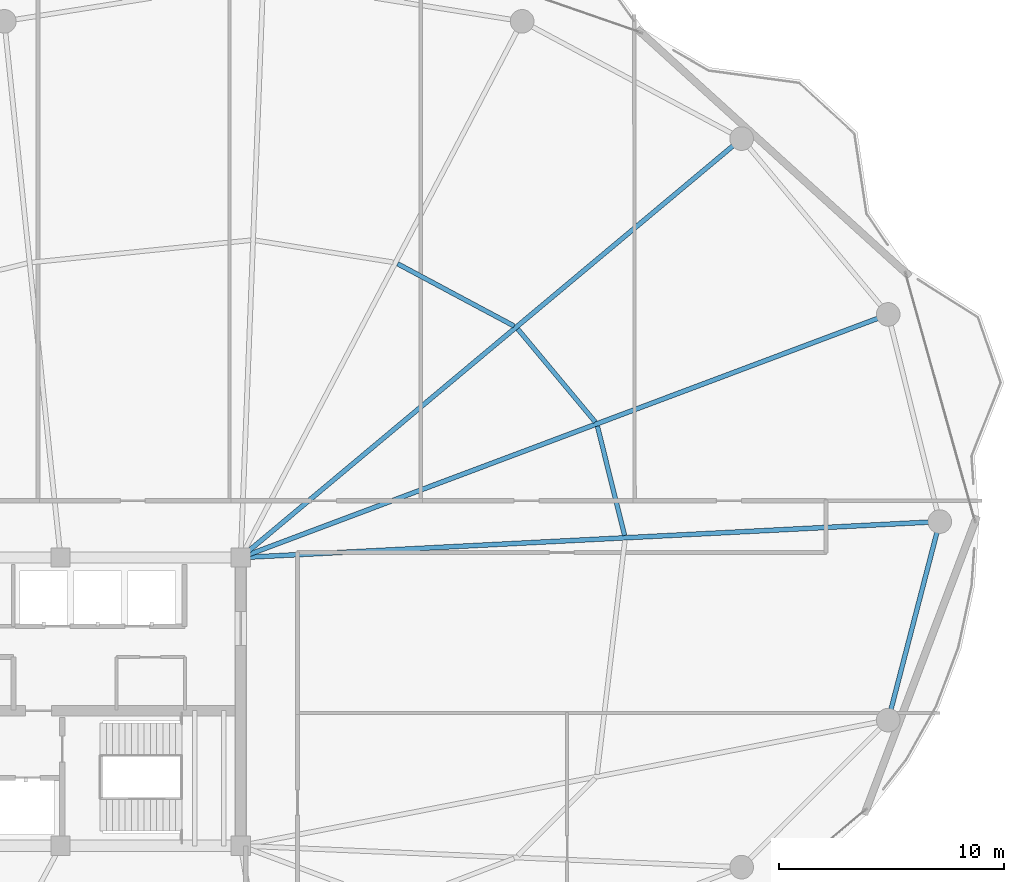
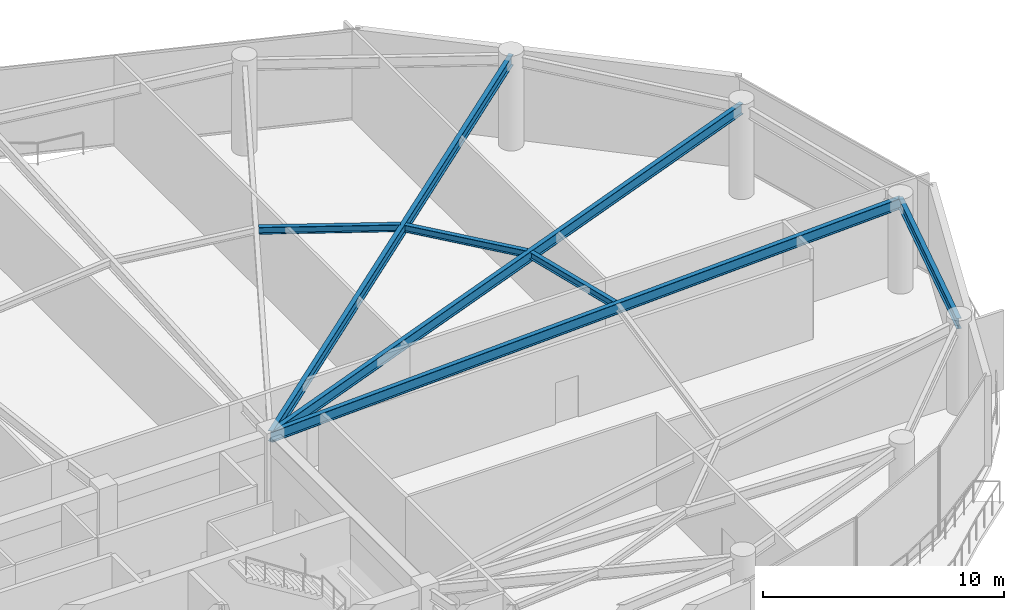
# One storey, part 14 of 28: 7 beams.
"""IFC4 building model written with IfcOpenShell, lengths in metres."""

import ifcopenshell
import ifcopenshell.guid

model = None  # the IFC model being written
_history = None  # IfcOwnerHistory: only IFC2X3 demands one
_inside = {}  # id of a spatial element -> (the spatial element, [elements in it])
_under = {}  # id of a project, library or spatial element -> (it, [spatial elements below it])
_declared = {}  # id of a project -> (the project, [libraries it declares])
_typed = {}  # id of a type object -> (the type object, [elements of that type])
_made_of = {}  # id of a material, layer set ... -> (it, [elements and type objects made of it])


def new_model(schema):
    """Start an empty IFC model of exactly this schema.

    Asked for "IFC4X3", IfcOpenShell would pick the latest addendum, in which some entities
    have other attributes; the version numbers below select the first issue.
    IFC2X3 requires an IfcOwnerHistory on every rooted entity: one is made here for all.
    """
    global model, _history
    if schema == "IFC4X3":
        model = ifcopenshell.file(schema_version=(4, 3, 0, 0))
    else:
        model = ifcopenshell.file(schema=schema)
    _inside.clear()
    _under.clear()
    _declared.clear()
    _typed.clear()
    _made_of.clear()
    _history = None
    if model.schema == "IFC2X3":
        org = make("IfcOrganization", Name="unknown")
        user = make(
            "IfcPersonAndOrganization",
            ThePerson=make("IfcPerson", FamilyName="unknown"),
            TheOrganization=org,
        )
        app = make(
            "IfcApplication",
            ApplicationDeveloper=org,
            Version="unknown",
            ApplicationFullName="unknown",
            ApplicationIdentifier="unknown",
        )
        _history = make(
            "IfcOwnerHistory",
            OwningUser=user,
            OwningApplication=app,
            ChangeAction="ADDED",
            CreationDate=0,
        )
    return model


def make(cls, **values):
    """One entity of the class cls with the attributes given. An attribute that is None is left unset."""
    return model.create_entity(
        cls, **{name: value for name, value in values.items() if value is not None}
    )


def rooted(cls, **values):
    """An entity with a GlobalId (a new one), such as an element, a storey or a relation."""
    return make(cls, GlobalId=ifcopenshell.guid.new(), OwnerHistory=_history, **values)


def si_unit(unit_type, name, prefix=None):
    """IfcSIUnit, for example si_unit("LENGTHUNIT", "METRE", prefix="MILLI")."""
    return make("IfcSIUnit", UnitType=unit_type, Prefix=prefix, Name=name)


def assignment(units):
    """IfcUnitAssignment: the units of a project."""
    return None if units is None else make("IfcUnitAssignment", Units=units)


def point(xyz):
    """IfcCartesianPoint."""
    return None if xyz is None else make("IfcCartesianPoint", Coordinates=xyz)


def direction(xyz):
    """IfcDirection."""
    return None if xyz is None else make("IfcDirection", DirectionRatios=xyz)


def frame(location, z_axis=None, x_axis=None):
    """IfcAxis2Placement3D, a coordinate frame: its origin and axes. An axis left out is left unset."""
    return make(
        "IfcAxis2Placement3D",
        Location=point(location),
        Axis=direction(z_axis),
        RefDirection=direction(x_axis),
    )


def frame_2d(location, x_axis=None):
    """IfcAxis2Placement2D, a coordinate frame in the plane: its origin and x axis."""
    return make(
        "IfcAxis2Placement2D", Location=point(location), RefDirection=direction(x_axis)
    )


def origin():
    """The frame at (0, 0, 0) with its axes left unset."""
    return frame((0.0, 0.0, 0.0))


def origin_2d():
    """The frame at (0, 0) in the plane with its x axis left unset."""
    return frame_2d((0.0, 0.0))


def place(relative_to, where):
    """IfcLocalPlacement: puts the frame where relative to a parent placement (None: the world)."""
    return make(
        "IfcLocalPlacement", PlacementRelTo=relative_to, RelativePlacement=where
    )


def context(
    kind, dimensions, precision=None, world=None, true_north=None, identifier=None
):
    """IfcGeometricRepresentationContext, for example the 3D "Model" context."""
    return make(
        "IfcGeometricRepresentationContext",
        ContextIdentifier=identifier,
        ContextType=kind,
        CoordinateSpaceDimension=dimensions,
        Precision=precision,
        WorldCoordinateSystem=world,
        TrueNorth=true_north,
    )


def subcontext(parent, identifier, kind, view, scale=None):
    """IfcGeometricRepresentationSubContext, for example "Body" below "Model"."""
    return make(
        "IfcGeometricRepresentationSubContext",
        ContextIdentifier=identifier,
        ContextType=kind,
        ParentContext=parent,
        TargetScale=scale,
        TargetView=view,
    )


def project(units=None, contexts=None):
    """IfcProject with its units and contexts."""
    return rooted(
        "IfcProject",
        Name="project",
        RepresentationContexts=contexts,
        UnitsInContext=assignment(units),
    )


def spatial(cls, under=None, at=None, **own):
    """A site, building, storey or space (cls), placed at a placement, below another one or the project."""
    s = rooted(cls, ObjectPlacement=at, **own)
    if under is not None:
        _under.setdefault(under.id(), (under, []))[1].append(s)
    return s


def profile(cls, at=None, kind="AREA", **sizes):
    """A parametric profile (cls). Its sizes go by their IFC names, for example OverallWidth=200.0."""
    return make(cls, ProfileType=kind, Position=at, **sizes)


def i_section(**sizes):
    """IfcIShapeProfileDef."""
    return profile("IfcIShapeProfileDef", **sizes)


def extrude(swept, where, along, depth):
    """IfcExtrudedAreaSolid: the profile swept, set in the frame where, extruded along a direction by depth."""
    return make(
        "IfcExtrudedAreaSolid",
        SweptArea=swept,
        Position=where,
        ExtrudedDirection=direction(along),
        Depth=depth,
    )


def shape(context_of_items, identifier, shape_type, items):
    """IfcShapeRepresentation: the items that make up one representation, for example the "Body"."""
    return make(
        "IfcShapeRepresentation",
        ContextOfItems=context_of_items,
        RepresentationIdentifier=identifier,
        RepresentationType=shape_type,
        Items=items,
    )


def material(Name=None, Category=None):
    """IfcMaterial."""
    return make("IfcMaterial", Name=Name, Category=Category)


def material_profile(
    of_material, cross_section, Name=None, Category=None, Priority=None
):
    """IfcMaterialProfile: a cross section and its material."""
    return make(
        "IfcMaterialProfile",
        Name=Name,
        Material=of_material,
        Profile=cross_section,
        Priority=Priority,
        Category=Category,
    )


def profile_set(profiles, Name=None, composite=None):
    """IfcMaterialProfileSet."""
    return make(
        "IfcMaterialProfileSet",
        Name=Name,
        MaterialProfiles=profiles,
        CompositeProfile=composite,
    )


def made_of(thing, what):
    """Note that an element or type object is made of a material, layer set ...; save() writes the relation."""
    if what is not None:
        _made_of.setdefault(what.id(), (what, []))[1].append(thing)
    return thing


def type_object(cls, material=None, **own):
    """A type object (cls), such as IfcWallType, which elements share."""
    return made_of(rooted(cls, **own), material)


def element(
    cls,
    number,
    at=None,
    inside=None,
    cuts=None,
    type_object=None,
    material=None,
    context=None,
    identifier="Body",
    shape_type=None,
    held_by="IfcProductDefinitionShape",
    body=None,
    shapes=None,
    **own,
):
    """One element of the class cls, such as IfcWall. Its Tag is "e" and its number.

    at: its placement. inside: the storey or other place that contains it. cuts: it is an
    opening in that element (IfcRelVoidsElement). A single representation is given by context,
    identifier, shape_type and body (its items); several are given by shapes. held_by: the class
    of the entity that holds the representations. save() writes the other relations.
    """
    e = rooted(cls, Tag="e%d" % number, ObjectPlacement=at, **own)
    if body is not None:
        shapes = [shape(context, identifier, shape_type, body)]
    if shapes is not None:
        e.Representation = make(held_by, Representations=shapes)
    if inside is not None:
        _inside.setdefault(inside.id(), (inside, []))[1].append(e)
    if cuts is not None:
        rooted(
            "IfcRelVoidsElement", RelatingBuildingElement=cuts, RelatedOpeningElement=e
        )
    if type_object is not None:
        _typed.setdefault(type_object.id(), (type_object, []))[1].append(e)
    return made_of(e, material)


def aggregate(whole, parts):
    """IfcRelAggregates: a whole, such as a stair, and the parts it consists of."""
    return rooted("IfcRelAggregates", RelatingObject=whole, RelatedObjects=parts)


def save(model, path):
    """Write the relations noted so far, then the file.

    IfcRelAggregates (storeys below a building ...), IfcRelContainedInSpatialStructure (elements
    in a storey), IfcRelDefinesByType, IfcRelAssociatesMaterial and IfcRelDeclares: one each for
    every whole, place, type object, material and project.
    """
    for whole, parts in _under.values():
        aggregate(whole, parts)
    for where, things in _inside.values():
        rooted(
            "IfcRelContainedInSpatialStructure",
            RelatedElements=things,
            RelatingStructure=where,
        )
    for kind, things in _typed.values():
        rooted("IfcRelDefinesByType", RelatedObjects=things, RelatingType=kind)
    for what, things in _made_of.values():
        rooted("IfcRelAssociatesMaterial", RelatedObjects=things, RelatingMaterial=what)
    for by, libraries in _declared.values():
        rooted("IfcRelDeclares", RelatingContext=by, RelatedDefinitions=libraries)
    model.write(path)


model = new_model("IFC4")

# Units and contexts
model_context = context("Model", 3, precision=1e-05, world=origin(), true_north=direction((0.0, 1.0)))
body_context = subcontext(model_context, "Body", "Model", "MODEL_VIEW")
ifc_project = project(units=[si_unit("LENGTHUNIT", "METRE"), si_unit("AREAUNIT", "SQUARE_METRE"), si_unit("VOLUMEUNIT", "CUBIC_METRE"), si_unit("PLANEANGLEUNIT", "RADIAN"), si_unit("MASSUNIT", "GRAM", prefix="KILO")], contexts=[model_context])

# Site, building, storey
site_placement = place(None, origin())
site = spatial("IfcSite", under=ifc_project, at=site_placement, CompositionType="ELEMENT")
building_placement = place(site_placement, origin())
building = spatial("IfcBuilding", under=site, at=building_placement, Name="Kazevale Care Tower and Concert Hall", CompositionType="ELEMENT")
storey_placement = place(building_placement, frame((0.0, 0.0, 190.800048828125)))
storey = spatial("IfcBuildingStorey", under=building, at=storey_placement, Name="L50", CompositionType="ELEMENT", Elevation=190.800048828125)

# Beams
ifc_material = material(Name="Steel ASTM A572 Gr 50", Category="steel")
ifc_material_profile_1 = material_profile(ifc_material, i_section(OverallWidth=0.2119140625, OverallDepth=0.5439453125, WebThickness=0.01318359375, FlangeThickness=0.021240234375, at=origin_2d()), Name="W530x123")
ifc_profile_set_1 = profile_set([ifc_material_profile_1], Name="Steel ASTM A572 Gr 50")
beam_type_1 = type_object("IfcBeamType", Name="Radial Floor Girder W530x123", PredefinedType="BEAM", material=ifc_profile_set_1)
beam_1_placement = place(storey_placement, frame((44.0, 36.39990234375, 4.287841796875), z_axis=(0.998674821251, 0.051464564506, 0.0), x_axis=(-0.051464564506, 0.998674821251, 0.0)))
element("IfcBeam", 1, at=beam_1_placement, inside=storey, type_object=beam_type_1, Name="beam:L50:rad:01", PredefinedType="BEAM", context=body_context, shape_type="SweptSolid", body=[
    extrude(i_section(OverallWidth=0.2119140625, OverallDepth=0.5439453125, WebThickness=0.01318359375, FlangeThickness=0.021240234375, at=origin_2d()), origin(), (0.0, 0.0, 1.0), 31.09130859375),
])
beam_2_placement = place(storey_placement, frame((44.0, 36.39990234375, 4.287841796875), z_axis=(0.936168070124, 0.351552762015, 0.0), x_axis=(-0.351552762015, 0.936168070124, 0.0)))
element("IfcBeam", 2, at=beam_2_placement, inside=storey, type_object=beam_type_1, Name="beam:L50:rad:02", PredefinedType="BEAM", context=body_context, shape_type="SweptSolid", body=[
    extrude(i_section(OverallWidth=0.2119140625, OverallDepth=0.5439453125, WebThickness=0.01318359375, FlangeThickness=0.021240234375, at=origin_2d()), origin(), (0.0, 0.0, 1.0), 30.720947265625),
])
beam_3_placement = place(storey_placement, frame((44.0, 36.39990234375, 4.287841796875), z_axis=(0.767059624015, 0.64157582031, 0.0), x_axis=(-0.64157582031, 0.767059624015, 0.0)))
element("IfcBeam", 3, at=beam_3_placement, inside=storey, type_object=beam_type_1, Name="beam:L50:rad:03", PredefinedType="BEAM", context=body_context, shape_type="SweptSolid", body=[
    extrude(i_section(OverallWidth=0.2119140625, OverallDepth=0.5439453125, WebThickness=0.01318359375, FlangeThickness=0.021240234375, at=origin_2d()), origin(), (0.0, 0.0, 1.0), 29.0068359375),
])
ifc_material_profile_2 = material_profile(ifc_material, i_section(OverallWidth=0.205078125, OverallDepth=0.35400390625, WebThickness=0.009521484375, FlangeThickness=0.016845703125, at=origin_2d()), Name="W360x79")
ifc_profile_set_2 = profile_set([ifc_material_profile_2], Name="Steel ASTM A572 Gr 50")
beam_type_2 = type_object("IfcBeamType", Name="Secondary Floor Joist W360x79", PredefinedType="JOIST", material=ifc_profile_set_2)
beam_4_placement = place(storey_placement, frame((61.052001953125, 37.382080078125, 4.383056640625), z_axis=(-0.241594204931, 0.970377369967, 0.0), x_axis=(-0.970377369967, -0.241594204931, 0.0)))
element("IfcBeam", 4, at=beam_4_placement, inside=storey, type_object=beam_type_2, Name="beam:L50:joist:01", PredefinedType="JOIST", context=body_context, shape_type="SweptSolid", body=[
    extrude(i_section(OverallWidth=0.205078125, OverallDepth=0.35400390625, WebThickness=0.009521484375, FlangeThickness=0.016845703125, at=origin_2d()), origin(), (0.0, 0.0, 1.0), 5.004150390625),
])
beam_5_placement = place(storey_placement, frame((59.7509765625, 42.4208984375, 4.383056640625), z_axis=(-0.640295940788, 0.768128314939, 0.0), x_axis=(-0.768128314939, -0.640295940788, 0.0)))
element("IfcBeam", 5, at=beam_5_placement, inside=storey, type_object=beam_type_2, Name="beam:L50:joist:02", PredefinedType="JOIST", context=body_context, shape_type="SweptSolid", body=[
    extrude(i_section(OverallWidth=0.205078125, OverallDepth=0.35400390625, WebThickness=0.009521484375, FlangeThickness=0.016845703125, at=origin_2d()), origin(), (0.0, 0.0, 1.0), 5.3818359375),
])
beam_6_placement = place(storey_placement, frame((56.14501953125, 46.68505859375, 4.383056640625), z_axis=(-0.881943890935, 0.471354403016, 0.0), x_axis=(-0.471354403016, -0.881943890935, 0.0)))
element("IfcBeam", 6, at=beam_6_placement, inside=storey, type_object=beam_type_2, Name="beam:L50:joist:03", PredefinedType="JOIST", context=body_context, shape_type="SweptSolid", body=[
    extrude(i_section(OverallWidth=0.205078125, OverallDepth=0.35400390625, WebThickness=0.009521484375, FlangeThickness=0.016845703125, at=origin_2d()), origin(), (0.0, 0.0, 1.0), 5.869873046875),
])
ifc_material_profile_3 = material_profile(ifc_material, i_section(OverallWidth=0.208984375, OverallDepth=0.532958984375, WebThickness=0.01025390625, FlangeThickness=0.015625, at=origin_2d()), Name="W530x92")
ifc_profile_set_3 = profile_set([ifc_material_profile_3], Name="Steel ASTM A572 Gr 50")
beam_type_3 = type_object("IfcBeamType", Name="Upper Ring Beam W530x92", PredefinedType="BEAM", material=ifc_profile_set_3)
beam_7_placement = place(storey_placement, frame((72.760009765625, 29.179931640625, 4.29345703125), z_axis=(0.251307095899, 0.96790740443, 0.0), x_axis=(-0.96790740443, 0.251307095899, 0.0)))
element("IfcBeam", 7, at=beam_7_placement, inside=storey, type_object=beam_type_3, Name="beam:L50:ring:16", PredefinedType="BEAM", context=body_context, shape_type="SweptSolid", body=[
    extrude(i_section(OverallWidth=0.208984375, OverallDepth=0.532958984375, WebThickness=0.01025390625, FlangeThickness=0.015625, at=origin_2d()), origin(), (0.0, 0.0, 1.0), 9.112548828125),
])

save(model, "model.ifc")
